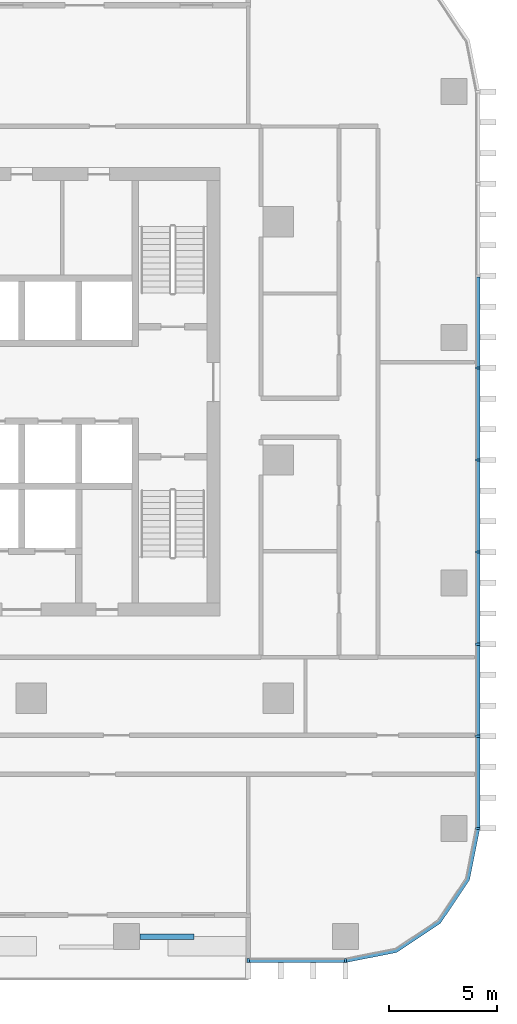
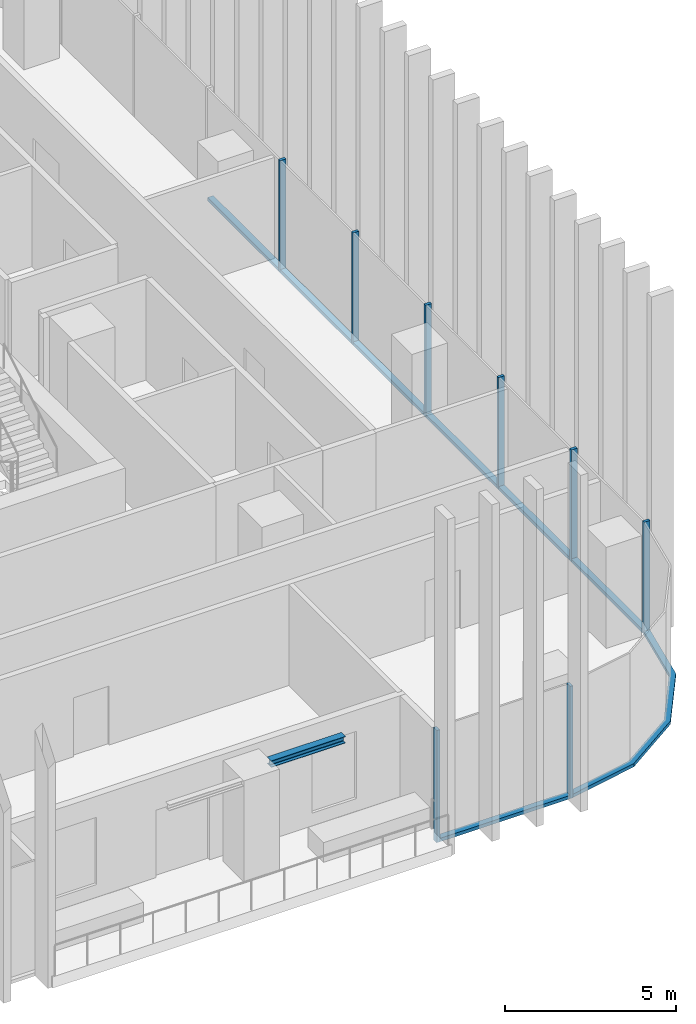
# One storey, part 3 of 16: 16 members, 1 beam, 3 elements without a shape of their own.
"""IFC4 building model written with IfcOpenShell, lengths in metres."""

from ifc_helpers import new_model, si_unit, direction, frame, origin, origin_2d, place, context, subcontext, project, spatial, polyline, rectangle, i_section, outline, extrude, material, material_profile, profile_set, type_object, element, aggregate, save


model = new_model("IFC4")

# Units and contexts
model_context = context("Model", 3, precision=1e-05, world=origin(), true_north=direction((0.0, 1.0)))
body_context = subcontext(model_context, "Body", "Model", "MODEL_VIEW")
ifc_project = project(units=[si_unit("LENGTHUNIT", "METRE"), si_unit("AREAUNIT", "SQUARE_METRE"), si_unit("VOLUMEUNIT", "CUBIC_METRE"), si_unit("PLANEANGLEUNIT", "RADIAN"), si_unit("MASSUNIT", "GRAM", prefix="KILO")], contexts=[model_context])

# Site, building, storey
site_placement = place(None, origin())
site = spatial("IfcSite", under=ifc_project, at=site_placement, CompositionType="ELEMENT")
building_placement = place(site_placement, origin())
building = spatial("IfcBuilding", under=site, at=building_placement, Name="Mopane Tessera Tower", CompositionType="ELEMENT")
storey_placement = place(building_placement, frame((0.0, 0.0, 181.0)))
storey = spatial("IfcBuildingStorey", under=building, at=storey_placement, Name="L37", CompositionType="ELEMENT", Elevation=181.0)

# Curtain wall, members
ifc_material_1 = material(Name="Aluminium frame", Category="aluminium")
curtain_wall_type = type_object("IfcCurtainWallType", Name="Unitised curtain wall", PredefinedType="NOTDEFINED", material=ifc_material_1)
curtain_wall_1_placement = place(storey_placement, origin())
curtain_wall_1 = element("IfcCurtainWall", 1, at=curtain_wall_1_placement, inside=storey, type_object=curtain_wall_type, Name="e:cw:L37:S:8", PredefinedType="NOTDEFINED")
ifc_material_2 = material(Name="Aluminium frame", Category="aluminium")
ifc_material_profile_1 = material_profile(ifc_material_2, rectangle(XDim=0.10009765625, YDim=0.199951171875, at=origin_2d()))
ifc_profile_set_1 = profile_set([ifc_material_profile_1], Name="Aluminium frame")
member_type_1 = type_object("IfcMemberType", Name="Aluminium mullion 100 x 200", PredefinedType="MULLION", material=ifc_profile_set_1)
member_1_placement = place(storey_placement, frame((15.711181640625, -23.10009765625, -0.39990234375), z_axis=(0.0, 0.0, 1.0), x_axis=(1.0, 0.0, 0.0)))
member_1 = element("IfcMember", 2, at=member_1_placement, type_object=member_type_1, Name="e:cw:L37:S:8:mu8", PredefinedType="MULLION", context=body_context, shape_type="SweptSolid", body=[
    extrude(rectangle(XDim=0.10009765625, YDim=0.199951171875, at=origin_2d()), origin(), (0.0, 0.0, 1.0), 4.0),
])
member_2_placement = place(storey_placement, frame((20.199951171875, -23.10009765625, -0.39990234375), z_axis=(0.0, 0.0, 1.0), x_axis=(1.0, 0.0, 0.0)))
member_2 = element("IfcMember", 3, at=member_2_placement, type_object=member_type_1, Name="e:cw:L37:S:8:mu9", PredefinedType="MULLION", context=body_context, shape_type="SweptSolid", body=[
    extrude(rectangle(XDim=0.10009765625, YDim=0.199951171875, at=origin_2d()), origin(), (0.0, 0.0, 1.0), 4.0),
])

curtain_wall_2_placement = place(storey_placement, origin())
curtain_wall_2 = element("IfcCurtainWall", 4, at=curtain_wall_2_placement, inside=storey, type_object=curtain_wall_type, Name="e:cw:L37:E:0", PredefinedType="NOTDEFINED")
member_3_placement = place(storey_placement, frame((26.300048828125, -17.0, -0.39990234375), z_axis=(0.0, 0.0, 1.0), x_axis=(0.0, 1.0, 0.0)))
member_3 = element("IfcMember", 5, at=member_3_placement, type_object=member_type_1, Name="e:cw:L37:E:0:mu0", PredefinedType="MULLION", context=body_context, shape_type="SweptSolid", body=[
    extrude(rectangle(XDim=0.10009765625, YDim=0.199951171875, at=origin_2d()), origin(), (0.0, 0.0, 1.0), 4.0),
])
member_4_placement = place(storey_placement, frame((26.300048828125, -12.75, -0.39990234375), z_axis=(0.0, 0.0, 1.0), x_axis=(0.0, 1.0, 0.0)))
member_4 = element("IfcMember", 6, at=member_4_placement, type_object=member_type_1, Name="e:cw:L37:E:0:mu1", PredefinedType="MULLION", context=body_context, shape_type="SweptSolid", body=[
    extrude(rectangle(XDim=0.10009765625, YDim=0.199951171875, at=origin_2d()), origin(), (0.0, 0.0, 1.0), 4.0),
])
member_5_placement = place(storey_placement, frame((26.300048828125, -8.5, -0.39990234375), z_axis=(0.0, 0.0, 1.0), x_axis=(0.0, 1.0, 0.0)))
member_5 = element("IfcMember", 7, at=member_5_placement, type_object=member_type_1, Name="e:cw:L37:E:0:mu2", PredefinedType="MULLION", context=body_context, shape_type="SweptSolid", body=[
    extrude(rectangle(XDim=0.10009765625, YDim=0.199951171875, at=origin_2d()), origin(), (0.0, 0.0, 1.0), 4.0),
])
member_6_placement = place(storey_placement, frame((26.300048828125, -4.25, -0.39990234375), z_axis=(0.0, 0.0, 1.0), x_axis=(0.0, 1.0, 0.0)))
member_6 = element("IfcMember", 8, at=member_6_placement, type_object=member_type_1, Name="e:cw:L37:E:0:mu3", PredefinedType="MULLION", context=body_context, shape_type="SweptSolid", body=[
    extrude(rectangle(XDim=0.10009765625, YDim=0.199951171875, at=origin_2d()), origin(), (0.0, 0.0, 1.0), 4.0),
])
member_7_placement = place(storey_placement, frame((26.300048828125, 0.0, -0.39990234375), z_axis=(0.0, 0.0, 1.0), x_axis=(0.0, 1.0, 0.0)))
member_7 = element("IfcMember", 9, at=member_7_placement, type_object=member_type_1, Name="e:cw:L37:E:0:mu4", PredefinedType="MULLION", context=body_context, shape_type="SweptSolid", body=[
    extrude(rectangle(XDim=0.10009765625, YDim=0.199951171875, at=origin_2d()), origin(), (0.0, 0.0, 1.0), 4.0),
])
member_8_placement = place(storey_placement, frame((26.300048828125, 4.25, -0.39990234375), z_axis=(0.0, 0.0, 1.0), x_axis=(0.0, 1.0, 0.0)))
member_8 = element("IfcMember", 10, at=member_8_placement, type_object=member_type_1, Name="e:cw:L37:E:0:mu5", PredefinedType="MULLION", context=body_context, shape_type="SweptSolid", body=[
    extrude(rectangle(XDim=0.10009765625, YDim=0.199951171875, at=origin_2d()), origin(), (0.0, 0.0, 1.0), 4.0),
])

# Member
ifc_material_3 = material(Name="Aluminium frame", Category="aluminium")
ifc_material_profile_2 = material_profile(ifc_material_3, rectangle(XDim=0.199951171875, YDim=0.1201171875, at=origin_2d()))
ifc_profile_set_2 = profile_set([ifc_material_profile_2], Name="Aluminium frame")
member_type_2 = type_object("IfcMemberType", Name="Aluminium transom 200 x 120", PredefinedType="USERDEFINED", material=ifc_profile_set_2)
member_9_placement = place(storey_placement, frame((15.76123046875, -23.10009765625, -0.340087890625), z_axis=(1.0, 0.0, 0.0), x_axis=(0.0, 1.0, 0.0)))
member_9 = element("IfcMember", 11, at=member_9_placement, type_object=member_type_2, Name="e:cw:L37:S:8:tr8", ObjectType="TRANSOM", PredefinedType="USERDEFINED", context=body_context, shape_type="SweptSolid", body=[
    extrude(rectangle(XDim=0.199951171875, YDim=0.1201171875, at=origin_2d()), origin(), (0.0, 0.0, 1.0), 4.388671875),
])

aggregate(curtain_wall_1, [member_1, member_2, member_9])

# Curtain wall, member
curtain_wall_3_placement = place(storey_placement, origin())
curtain_wall_3 = element("IfcCurtainWall", 12, at=curtain_wall_3_placement, inside=storey, type_object=curtain_wall_type, Name="e:cw:L37:CS", PredefinedType="NOTDEFINED")
member_10_placement = place(storey_placement, frame((0.0, 0.0, -0.39990234375)))
member_10 = element("IfcMember", 13, at=member_10_placement, type_object=member_type_2, Name="e:cw:L37:CS:tr", ObjectType="TRANSOM", PredefinedType="USERDEFINED", context=body_context, shape_type="SweptSolid", body=[
    extrude(outline(polyline([(20.199951171875, -23.0), (22.49609375, -22.543212890625), (24.442626953125, -21.24267578125), (25.7431640625, -19.296142578125), (26.199951171875, -17.0), (26.39990234375, -17.0), (25.927978515625, -19.37255859375), (24.583984375, -21.384033203125), (22.57275390625, -22.72802734375), (20.199951171875, -23.199951171875), (20.199951171875, -23.0)])), origin(), (0.0, 0.0, 1.0), 0.119873046875),
])
aggregate(curtain_wall_3, [member_10])

# Member
member_11_placement = place(storey_placement, frame((26.300048828125, -16.949951171875, -0.340087890625), z_axis=(0.0, 1.0, 0.0), x_axis=(-1.0, 0.0, 0.0)))
member_11 = element("IfcMember", 14, at=member_11_placement, type_object=member_type_2, Name="e:cw:L37:E:0:tr0", ObjectType="TRANSOM", PredefinedType="USERDEFINED", context=body_context, shape_type="SweptSolid", body=[
    extrude(rectangle(XDim=0.199951171875, YDim=0.1201171875, at=origin_2d()), origin(), (0.0, 0.0, 1.0), 4.14990234375),
])

member_12_placement = place(storey_placement, frame((26.300048828125, -12.699951171875, -0.340087890625), z_axis=(0.0, 1.0, 0.0), x_axis=(-1.0, 0.0, 0.0)))
member_12 = element("IfcMember", 15, at=member_12_placement, type_object=member_type_2, Name="e:cw:L37:E:0:tr1", ObjectType="TRANSOM", PredefinedType="USERDEFINED", context=body_context, shape_type="SweptSolid", body=[
    extrude(rectangle(XDim=0.199951171875, YDim=0.1201171875, at=origin_2d()), origin(), (0.0, 0.0, 1.0), 4.14990234375),
])

member_13_placement = place(storey_placement, frame((26.300048828125, -8.449951171875, -0.340087890625), z_axis=(0.0, 1.0, 0.0), x_axis=(-1.0, 0.0, 0.0)))
member_13 = element("IfcMember", 16, at=member_13_placement, type_object=member_type_2, Name="e:cw:L37:E:0:tr2", ObjectType="TRANSOM", PredefinedType="USERDEFINED", context=body_context, shape_type="SweptSolid", body=[
    extrude(rectangle(XDim=0.199951171875, YDim=0.1201171875, at=origin_2d()), origin(), (0.0, 0.0, 1.0), 4.14990234375),
])

member_14_placement = place(storey_placement, frame((26.300048828125, -4.199951171875, -0.340087890625), z_axis=(0.0, 1.0, 0.0), x_axis=(-1.0, 0.0, 0.0)))
member_14 = element("IfcMember", 17, at=member_14_placement, type_object=member_type_2, Name="e:cw:L37:E:0:tr3", ObjectType="TRANSOM", PredefinedType="USERDEFINED", context=body_context, shape_type="SweptSolid", body=[
    extrude(rectangle(XDim=0.199951171875, YDim=0.1201171875, at=origin_2d()), origin(), (0.0, 0.0, 1.0), 4.14990234375),
])

member_15_placement = place(storey_placement, frame((26.300048828125, 0.050048828125, -0.340087890625), z_axis=(0.0, 1.0, 0.0), x_axis=(-1.0, 0.0, 0.0)))
member_15 = element("IfcMember", 18, at=member_15_placement, type_object=member_type_2, Name="e:cw:L37:E:0:tr4", ObjectType="TRANSOM", PredefinedType="USERDEFINED", context=body_context, shape_type="SweptSolid", body=[
    extrude(rectangle(XDim=0.199951171875, YDim=0.1201171875, at=origin_2d()), origin(), (0.0, 0.0, 1.0), 4.14990234375),
])

member_16_placement = place(storey_placement, frame((26.300048828125, 4.300048828125, -0.340087890625), z_axis=(0.0, 1.0, 0.0), x_axis=(-1.0, 0.0, 0.0)))
member_16 = element("IfcMember", 19, at=member_16_placement, type_object=member_type_2, Name="e:cw:L37:E:0:tr5", ObjectType="TRANSOM", PredefinedType="USERDEFINED", context=body_context, shape_type="SweptSolid", body=[
    extrude(rectangle(XDim=0.199951171875, YDim=0.1201171875, at=origin_2d()), origin(), (0.0, 0.0, 1.0), 4.14990234375),
])

aggregate(curtain_wall_2, [member_3, member_4, member_5, member_6, member_7, member_8, member_11, member_12, member_13, member_14, member_15, member_16])

# Beam
ifc_material_4 = material(Name="Structural steel S460", Category="steel")
ifc_material_profile_3 = material_profile(ifc_material_4, i_section(OverallWidth=0.239990234375, OverallDepth=0.239990234375, WebThickness=0.010009765625, FlangeThickness=0.01708984375, FilletRadius=0.02099609375, at=origin_2d()))
ifc_profile_set_3 = profile_set([ifc_material_profile_3], Name="Structural steel S460")
beam_type = type_object("IfcBeamType", Name="Terrace spandrel beam HE 240 B", PredefinedType="SPANDREL", material=ifc_profile_set_3)
beam_placement = place(storey_placement, frame((10.703125, -22.0, 3.47998046875), z_axis=(1.0, 0.0, 0.0), x_axis=(0.0, 1.0, 0.0)))
element("IfcBeam", 20, at=beam_placement, inside=storey, type_object=beam_type, Name="Terrace spandrel beam N2 L38", PredefinedType="SPANDREL", context=body_context, shape_type="SweptSolid", body=[
    extrude(i_section(OverallWidth=0.239990234375, OverallDepth=0.239990234375, WebThickness=0.010009765625, FlangeThickness=0.01708984375, FilletRadius=0.02099609375, at=origin_2d()), origin(), (0.0, 0.0, 1.0), 2.5),
])

save(model, "model.ifc")
